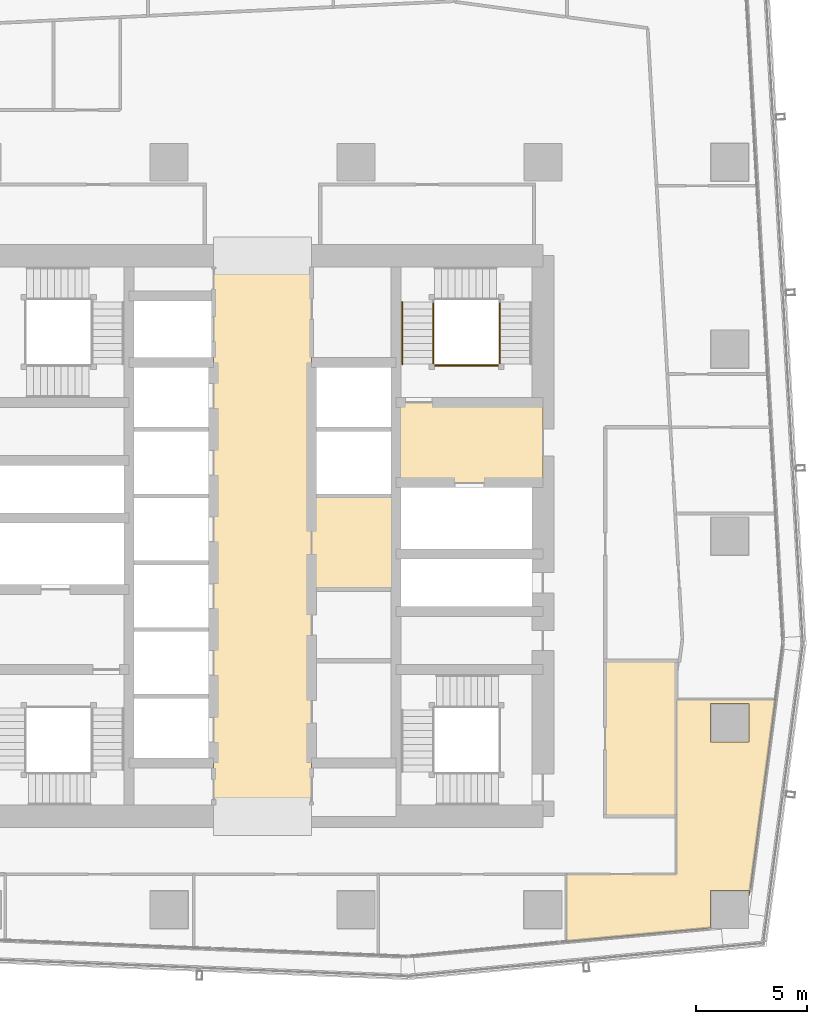
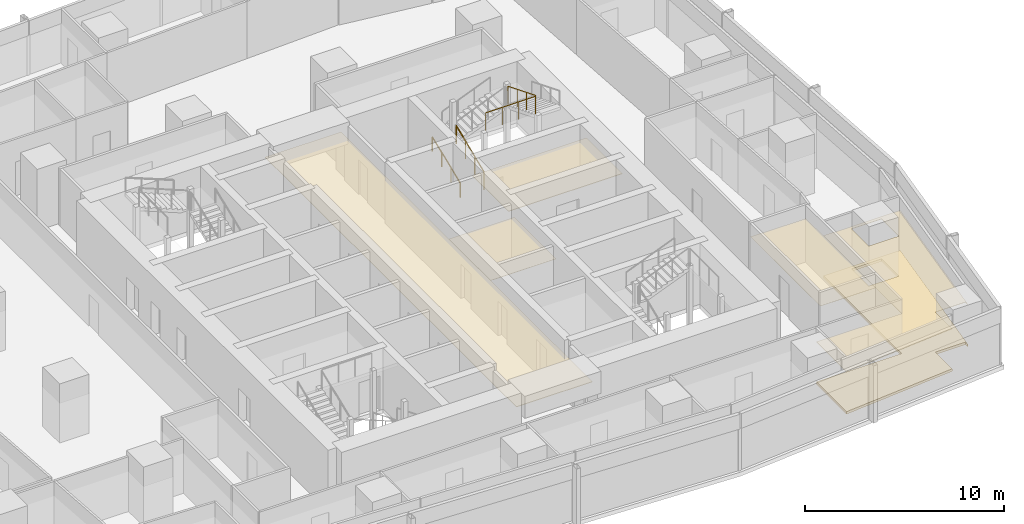
# One storey, part 37 of 39: 6 coverings, 4 railings.
"""IFC4 building model written with IfcOpenShell, lengths in metres."""

from ifc_helpers import new_model, si_unit, direction, frame, origin, origin_2d, place, context, subcontext, project, spatial, polyline, circle, outline, extrude, material, layer, layer_set, type_object, element, save


model = new_model("IFC4")

# Units and contexts
model_context = context("Model", 3, precision=1e-05, world=origin(), true_north=direction((0.0, 1.0)))
body_context = subcontext(model_context, "Body", "Model", "MODEL_VIEW")
ifc_project = project(units=[si_unit("LENGTHUNIT", "METRE"), si_unit("AREAUNIT", "SQUARE_METRE"), si_unit("VOLUMEUNIT", "CUBIC_METRE"), si_unit("PLANEANGLEUNIT", "RADIAN"), si_unit("MASSUNIT", "GRAM", prefix="KILO")], contexts=[model_context])

# Site, building, storey
site_placement = place(None, origin())
site = spatial("IfcSite", under=ifc_project, at=site_placement, CompositionType="ELEMENT")
building_placement = place(site_placement, origin())
building = spatial("IfcBuilding", under=site, at=building_placement, Name="Rekha Terrace Tower", CompositionType="ELEMENT")
storey_placement = place(building_placement, frame((0.0, 0.0, 183.949951171875)))
storey = spatial("IfcBuildingStorey", under=building, at=storey_placement, Name="L46", CompositionType="ELEMENT", Elevation=183.949951171875)

# Coverings
ifc_material_1 = material(Name="Mineral fibre tile in exposed grid", Category="finish")
ifc_layer_1 = layer(ifc_material_1, 0.02001953125)
ifc_layer_set_1 = layer_set([ifc_layer_1], Name="Mineral fibre tile in exposed grid")
covering_type_1 = type_object("IfcCoveringType", Name="CL1 600x1200 office grid ceiling", PredefinedType="CEILING", material=ifc_layer_set_1)
covering_1_placement = place(storey_placement, frame((0.0, 0.0, 2.580078125)))
element("IfcCovering", 1, at=covering_1_placement, inside=storey, type_object=covering_type_1, Name="Ceiling L46-04", PredefinedType="CEILING", context=body_context, shape_type="SweptSolid", body=[
    extrude(outline(polyline([(56.39990234375, 26.2548828125), (56.39990234375, 18.39990234375), (51.465087890625, 18.39990234375), (51.465087890625, 15.3779296875), (57.93505859375, 15.97998046875), (57.93505859375, 17.6650390625), (59.6650390625, 17.6650390625), (59.6650390625, 17.449951171875), (59.68505859375, 17.448974609375), (60.85205078125, 26.2548828125), (56.39990234375, 26.2548828125)]), holes=[polyline([(59.6650390625, 24.3349609375), (57.93505859375, 24.3349609375), (57.93505859375, 26.06494140625), (59.6650390625, 26.06494140625), (59.6650390625, 24.3349609375)])]), origin(), (0.0, 0.0, 1.0), 0.02001953125),
])
ifc_material_2 = material(Name="Fibre cement board", Category="finish")
ifc_layer_2 = layer(ifc_material_2, 0.014892578125)
ifc_layer_set_2 = layer_set([ifc_layer_2], Name="Fibre cement board")
covering_type_2 = type_object("IfcCoveringType", Name="CL2 moisture-resistant board ceiling", PredefinedType="CEILING", material=ifc_layer_set_2)
covering_2_placement = place(storey_placement, frame((0.0, 0.0, 2.5849609375)))
element("IfcCovering", 2, at=covering_2_placement, inside=storey, type_object=covering_type_2, Name="Ceiling L46-FSE3", PredefinedType="CEILING", context=body_context, shape_type="SweptSolid", body=[
    extrude(outline(polyline([(43.800048828125, 35.39990234375), (40.0, 35.39990234375), (40.0, 31.199951171875), (43.800048828125, 31.199951171875), (43.800048828125, 35.39990234375)])), origin(), (0.0, 0.0, 1.0), 0.01513671875),
])
covering_3_placement = place(storey_placement, frame((0.0, 0.0, 2.5849609375)))
element("IfcCovering", 3, at=covering_3_placement, inside=storey, type_object=covering_type_2, Name="Ceiling L46-WCM2", PredefinedType="CEILING", context=body_context, shape_type="SweptSolid", body=[
    extrude(outline(polyline([(56.39990234375, 28.0), (53.199951171875, 28.0), (53.199951171875, 21.0), (56.39990234375, 21.0), (56.39990234375, 28.0)])), origin(), (0.0, 0.0, 1.0), 0.01513671875),
])
ifc_material_3 = material(Name="Powder-coated aluminium pan", Category="aluminium")
ifc_layer_3 = layer(ifc_material_3, 0.030029296875)
ifc_layer_set_3 = layer_set([ifc_layer_3], Name="Powder-coated aluminium pan")
covering_type_3 = type_object("IfcCoveringType", Name="CL3 300x1200 metal pan ceiling", PredefinedType="CEILING", material=ifc_layer_set_3)
covering_4_placement = place(storey_placement, frame((0.0, 0.0, 2.570068359375)))
element("IfcCovering", 4, at=covering_4_placement, inside=storey, type_object=covering_type_3, Name="Ceiling L46-LOBBY", PredefinedType="CEILING", context=body_context, shape_type="SweptSolid", body=[
    extrude(outline(polyline([(40.0, 46.199951171875), (35.60009765625, 46.199951171875), (35.60009765625, 21.0), (40.0, 21.0), (40.0, 46.199951171875)])), origin(), (0.0, 0.0, 1.0), 0.030029296875),
])
covering_5_placement = place(storey_placement, frame((0.0, 0.0, 2.570068359375)))
element("IfcCovering", 5, at=covering_5_placement, inside=storey, type_object=covering_type_3, Name="Ceiling L46-FLB2", PredefinedType="CEILING", context=body_context, shape_type="SweptSolid", body=[
    extrude(outline(polyline([(50.39990234375, 39.60009765625), (43.800048828125, 39.60009765625), (43.800048828125, 36.0), (50.39990234375, 36.0), (50.39990234375, 39.60009765625)])), origin(), (0.0, 0.0, 1.0), 0.030029296875),
])

# Railings
ifc_material_4 = material(Name="Stainless steel balustrade", Category="steel")
railing_type_1 = type_object("IfcRailingType", Name="GR1 1100 stair guard", PredefinedType="GUARDRAIL", material=ifc_material_4)
railing_1_placement = place(storey_placement, frame((45.465087890625, 41.324951171875, 0.125)))
element("IfcRailing", 6, at=railing_1_placement, inside=storey, type_object=railing_type_1, Name="Guard ST2 L46 flight 1", PredefinedType="GUARDRAIL", context=body_context, shape_type="SweptSolid", body=[
    extrude(circle(Radius=0.02392578125, at=origin_2d()), frame((0.0, 0.0, 1.076171875), z_axis=(0.0, 0.927443287984, 0.373963831907), x_axis=(-1.0, 0.0, 0.0)), (0.0, 0.0, 1.0), 3.00830078125),
    extrude(circle(Radius=0.02099609375, at=origin_2d()), origin(), (0.0, 0.0, 1.0), 1.052001953125),
    extrude(circle(Radius=0.02099609375, at=origin_2d()), frame((0.0, 0.929931640625, 0.375)), (0.0, 0.0, 1.0), 1.052001953125),
    extrude(circle(Radius=0.02099609375, at=origin_2d()), frame((0.0, 1.860107421875, 0.75)), (0.0, 0.0, 1.0), 1.052001953125),
    extrude(circle(Radius=0.02099609375, at=origin_2d()), frame((0.0, 2.7900390625, 1.125)), (0.0, 0.0, 1.0), 1.052001953125),
])
railing_2_placement = place(storey_placement, frame((48.4599609375, 44.114990234375, 2.625)))
element("IfcRailing", 7, at=railing_2_placement, inside=storey, type_object=railing_type_1, Name="Guard ST2 L46 flight 3", PredefinedType="GUARDRAIL", context=body_context, shape_type="SweptSolid", body=[
    extrude(circle(Radius=0.02392578125, at=origin_2d()), frame((0.0, 0.0, 1.076171875), z_axis=(0.0, -0.927443287984, 0.373963831907), x_axis=(1.0, 0.0, 0.0)), (0.0, 0.0, 1.0), 3.00830078125),
    extrude(circle(Radius=0.02099609375, at=origin_2d()), origin(), (0.0, 0.0, 1.0), 1.052001953125),
    extrude(circle(Radius=0.02099609375, at=origin_2d()), frame((0.0, -0.929931640625, 0.375)), (0.0, 0.0, 1.0), 1.052001953125),
    extrude(circle(Radius=0.02099609375, at=origin_2d()), frame((0.0, -1.860107421875, 0.75)), (0.0, 0.0, 1.0), 1.052001953125),
    extrude(circle(Radius=0.02099609375, at=origin_2d()), frame((0.0, -2.7900390625, 1.125)), (0.0, 0.0, 1.0), 1.052001953125),
])
railing_3_placement = place(storey_placement, frame((45.52490234375, 41.264892578125, 3.75)))
element("IfcRailing", 8, at=railing_3_placement, inside=storey, type_object=railing_type_1, Name="Guard ST2 L46 landing 4", PredefinedType="GUARDRAIL", context=body_context, shape_type="SweptSolid", body=[
    extrude(circle(Radius=0.02392578125, at=origin_2d()), frame((0.0, 0.0, 1.076171875), z_axis=(1.0, 0.0, 0.0), x_axis=(0.0, 1.0, 0.0)), (0.0, 0.0, 1.0), 2.875),
    extrude(circle(Radius=0.02099609375, at=origin_2d()), origin(), (0.0, 0.0, 1.0), 1.052001953125),
    extrude(circle(Radius=0.02099609375, at=origin_2d()), frame((0.958251953125, 0.0, 0.0)), (0.0, 0.0, 1.0), 1.052001953125),
    extrude(circle(Radius=0.02099609375, at=origin_2d()), frame((1.916748046875, 0.0, 0.0)), (0.0, 0.0, 1.0), 1.052001953125),
    extrude(circle(Radius=0.02099609375, at=origin_2d()), frame((2.875, 0.0, 0.0)), (0.0, 0.0, 1.0), 1.052001953125),
])
ifc_material_5 = material(Name="Stainless steel tube", Category="steel")
railing_type_2 = type_object("IfcRailingType", Name="HR1 900 stair handrail", PredefinedType="HANDRAIL", material=ifc_material_5)
railing_4_placement = place(storey_placement, frame((44.0849609375, 41.324951171875, 0.125)))
element("IfcRailing", 9, at=railing_4_placement, inside=storey, type_object=railing_type_2, Name="Handrail ST2 L46 flight 1", PredefinedType="HANDRAIL", context=body_context, shape_type="SweptSolid", body=[
    extrude(circle(Radius=0.02392578125, at=origin_2d()), frame((0.0, 0.0, 0.8759765625), z_axis=(0.0, 0.927443287984, 0.373963831907), x_axis=(-1.0, 0.0, 0.0)), (0.0, 0.0, 1.0), 3.00830078125),
    extrude(circle(Radius=0.02099609375, at=origin_2d()), origin(), (0.0, 0.0, 1.0), 0.851806640625),
    extrude(circle(Radius=0.02099609375, at=origin_2d()), frame((0.0, 0.929931640625, 0.375)), (0.0, 0.0, 1.0), 0.851806640625),
    extrude(circle(Radius=0.02099609375, at=origin_2d()), frame((0.0, 1.860107421875, 0.75)), (0.0, 0.0, 1.0), 0.851806640625),
    extrude(circle(Radius=0.02099609375, at=origin_2d()), frame((0.0, 2.7900390625, 1.125)), (0.0, 0.0, 1.0), 0.851806640625),
])

# Covering
ifc_material_6 = material(Name="Calcium sulphate panels on steel pedestals", Category="steel")
ifc_layer_4 = layer(ifc_material_6, 0.14990234375)
ifc_layer_set_4 = layer_set([ifc_layer_4], Name="Calcium sulphate panels on steel pedestals")
covering_type_4 = type_object("IfcCoveringType", Name="RF1 150 raised access floor", PredefinedType="FLOORING", material=ifc_layer_set_4)
covering_6_placement = place(storey_placement, origin())
element("IfcCovering", 10, at=covering_6_placement, inside=storey, type_object=covering_type_4, Name="Raised floor L46-04", PredefinedType="FLOORING", context=body_context, shape_type="SweptSolid", body=[
    extrude(outline(polyline([(56.39990234375, 26.2548828125), (56.39990234375, 18.39990234375), (51.465087890625, 18.39990234375), (51.465087890625, 15.3779296875), (57.93505859375, 15.97998046875), (57.93505859375, 17.6650390625), (59.6650390625, 17.6650390625), (59.6650390625, 17.449951171875), (59.68505859375, 17.448974609375), (60.85205078125, 26.2548828125), (56.39990234375, 26.2548828125)]), holes=[polyline([(59.6650390625, 24.3349609375), (57.93505859375, 24.3349609375), (57.93505859375, 26.06494140625), (59.6650390625, 26.06494140625), (59.6650390625, 24.3349609375)])]), origin(), (0.0, 0.0, 1.0), 0.150146484375),
])

save(model, "model.ifc")
